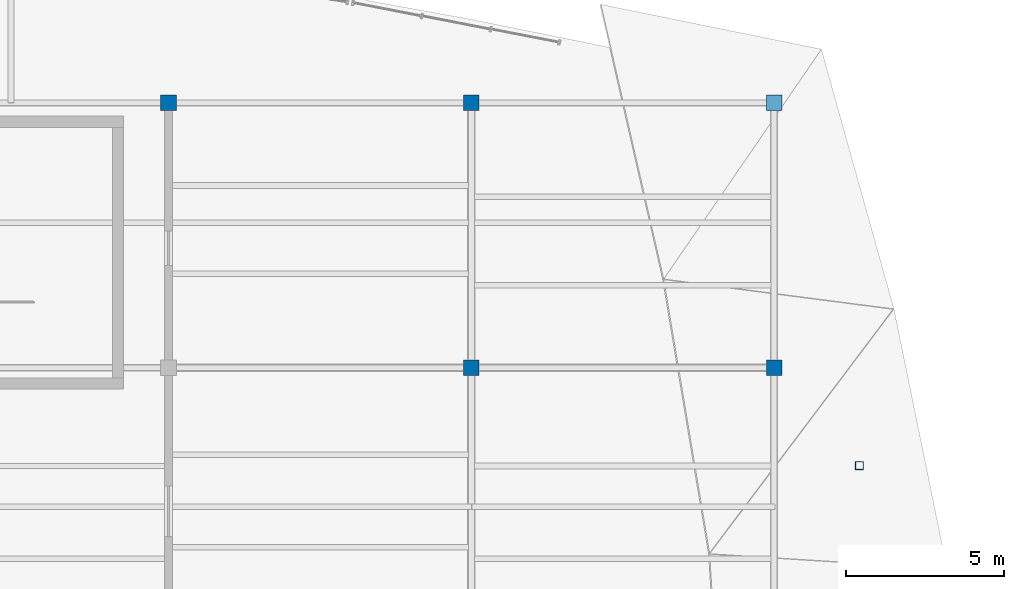
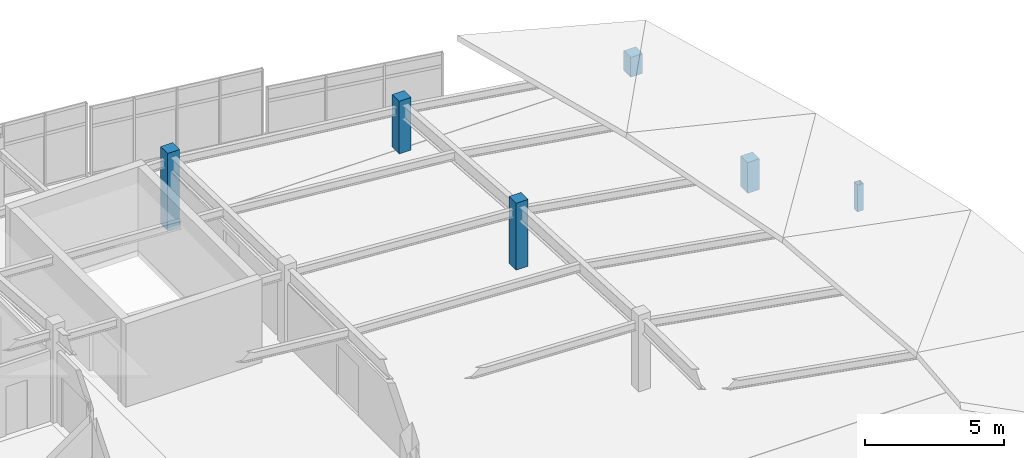
# One storey, part 9 of 65: 6 columns.
"""IFC4 building model written with IfcOpenShell, lengths in metres."""

from ifc_helpers import new_model, si_unit, direction, frame, origin, origin_2d, place, context, subcontext, project, spatial, rectangle, hollow_rectangle, extrude, material, material_profile, profile_set, type_object, element, save


model = new_model("IFC4")

# Units and contexts
model_context = context("Model", 3, precision=1e-05, world=origin(), true_north=direction((0.0, 1.0)))
body_context = subcontext(model_context, "Body", "Model", "MODEL_VIEW")
ifc_project = project(units=[si_unit("LENGTHUNIT", "METRE"), si_unit("AREAUNIT", "SQUARE_METRE"), si_unit("VOLUMEUNIT", "CUBIC_METRE"), si_unit("PLANEANGLEUNIT", "RADIAN"), si_unit("MASSUNIT", "GRAM", prefix="KILO")], contexts=[model_context])

# Site, building, storey
site_placement = place(None, origin())
site = spatial("IfcSite", under=ifc_project, at=site_placement, CompositionType="ELEMENT")
building_placement = place(site_placement, origin())
building = spatial("IfcBuilding", under=site, at=building_placement, Name="Chalmorin Arch Market", CompositionType="ELEMENT")
storey_placement = place(building_placement, frame((0.0, 0.0, 14.10009765625)))
storey = spatial("IfcBuildingStorey", under=building, at=storey_placement, Name="L03", CompositionType="ELEMENT", Elevation=14.10009765625)

# Columns
ifc_material_1 = material(Name="Steel A500 Grade C", Category="steel")
ifc_material_profile_1 = material_profile(ifc_material_1, hollow_rectangle(XDim=0.25390625, YDim=0.25390625, WallThickness=0.01171875, at=origin_2d()), Name="HSS10X10X1/2")
ifc_profile_set_1 = profile_set([ifc_material_profile_1], Name="Steel A500 Grade C")
column_type_1 = type_object("IfcColumnType", Name="SteelTubeColumn-HSS10X10", PredefinedType="COLUMN", material=ifc_profile_set_1)
column_1_placement = place(storey_placement, frame((117.903076171875, 106.5, 0.0), z_axis=(0.0, 0.0, 1.0), x_axis=(1.0, 0.0, 0.0)))
element("IfcColumn", 1, at=column_1_placement, inside=storey, type_object=column_type_1, Name="C-HS2-747", PredefinedType="COLUMN", context=body_context, shape_type="SweptSolid", body=[
    extrude(hollow_rectangle(XDim=0.25390625, YDim=0.25390625, WallThickness=0.01171875, at=origin_2d()), origin(), (0.0, 0.0, 1.0), 1.173828125),
])
ifc_material_2 = material(Name="Concrete C40/50", Category="concrete")
ifc_material_profile_2 = material_profile(ifc_material_2, rectangle(XDim=0.5, YDim=0.5, at=origin_2d()), Name="RC500X500")
ifc_profile_set_2 = profile_set([ifc_material_profile_2], Name="Concrete C40/50")
column_type_2 = type_object("IfcColumnType", Name="UpperConcreteColumn-500x500", PredefinedType="COLUMN", material=ifc_profile_set_2)
column_2_placement = place(storey_placement, frame((96.0, 118.0, 0.0), z_axis=(0.0, 0.0, 1.0), x_axis=(1.0, 0.0, 0.0)))
element("IfcColumn", 2, at=column_2_placement, inside=storey, type_object=column_type_2, Name="C-RC3-529", PredefinedType="COLUMN", context=body_context, shape_type="SweptSolid", body=[
    extrude(rectangle(XDim=0.5, YDim=0.5, at=origin_2d()), origin(), (0.0, 0.0, 1.0), 3.385009765625),
])
column_3_placement = place(storey_placement, frame((105.60009765625, 109.60009765625, 0.0), z_axis=(0.0, 0.0, 1.0), x_axis=(1.0, 0.0, 0.0)))
element("IfcColumn", 3, at=column_3_placement, inside=storey, type_object=column_type_2, Name="C-RC3-579", PredefinedType="COLUMN", context=body_context, shape_type="SweptSolid", body=[
    extrude(rectangle(XDim=0.5, YDim=0.5, at=origin_2d()), origin(), (0.0, 0.0, 1.0), 2.934814453125),
])
column_4_placement = place(storey_placement, frame((105.60009765625, 118.0, 0.0), z_axis=(0.0, 0.0, 1.0), x_axis=(1.0, 0.0, 0.0)))
element("IfcColumn", 4, at=column_4_placement, inside=storey, type_object=column_type_2, Name="C-RC3-584", PredefinedType="COLUMN", context=body_context, shape_type="SweptSolid", body=[
    extrude(rectangle(XDim=0.5, YDim=0.5, at=origin_2d()), origin(), (0.0, 0.0, 1.0), 2.308837890625),
])
column_5_placement = place(storey_placement, frame((115.199951171875, 109.60009765625, 0.0), z_axis=(0.0, 0.0, 1.0), x_axis=(1.0, 0.0, 0.0)))
element("IfcColumn", 5, at=column_5_placement, inside=storey, type_object=column_type_2, Name="C-RC3-634", PredefinedType="COLUMN", context=body_context, shape_type="SweptSolid", body=[
    extrude(rectangle(XDim=0.5, YDim=0.5, at=origin_2d()), origin(), (0.0, 0.0, 1.0), 1.351806640625),
])
column_6_placement = place(storey_placement, frame((115.199951171875, 118.0, 0.0), z_axis=(0.0, 0.0, 1.0), x_axis=(1.0, 0.0, 0.0)))
element("IfcColumn", 6, at=column_6_placement, inside=storey, type_object=column_type_2, Name="C-RC3-639", PredefinedType="COLUMN", context=body_context, shape_type="SweptSolid", body=[
    extrude(rectangle(XDim=0.5, YDim=0.5, at=origin_2d()), origin(), (0.0, 0.0, 1.0), 0.868896484375),
])

save(model, "model.ifc")
